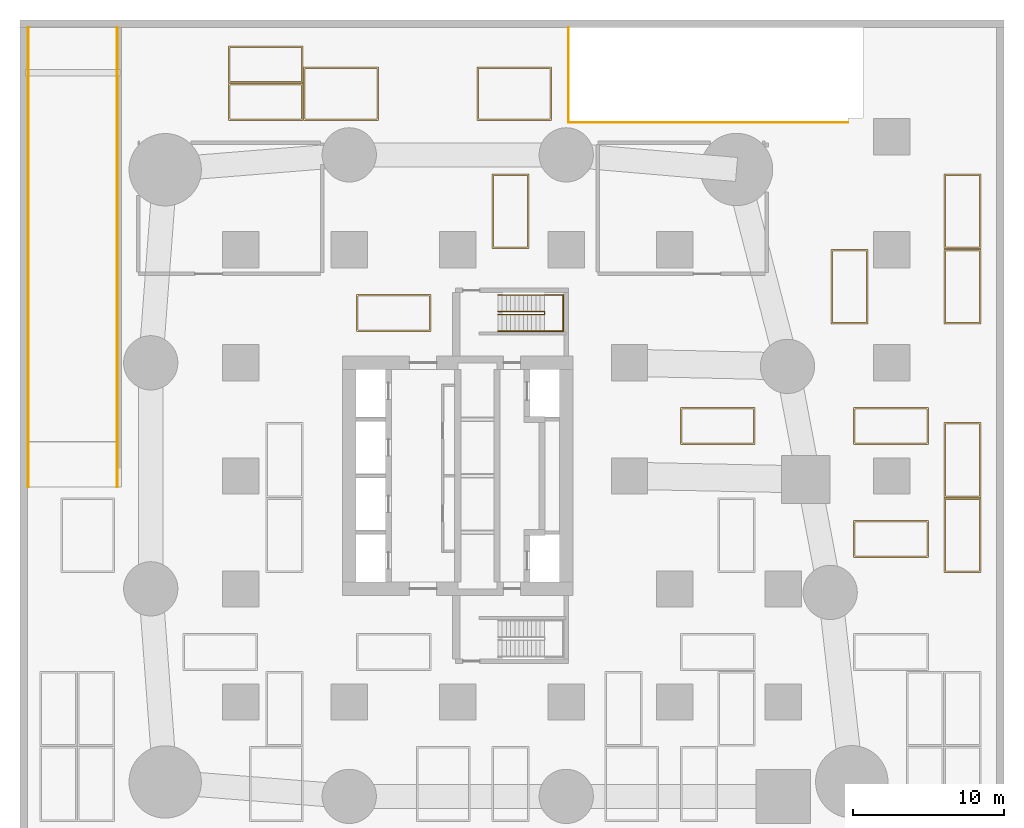
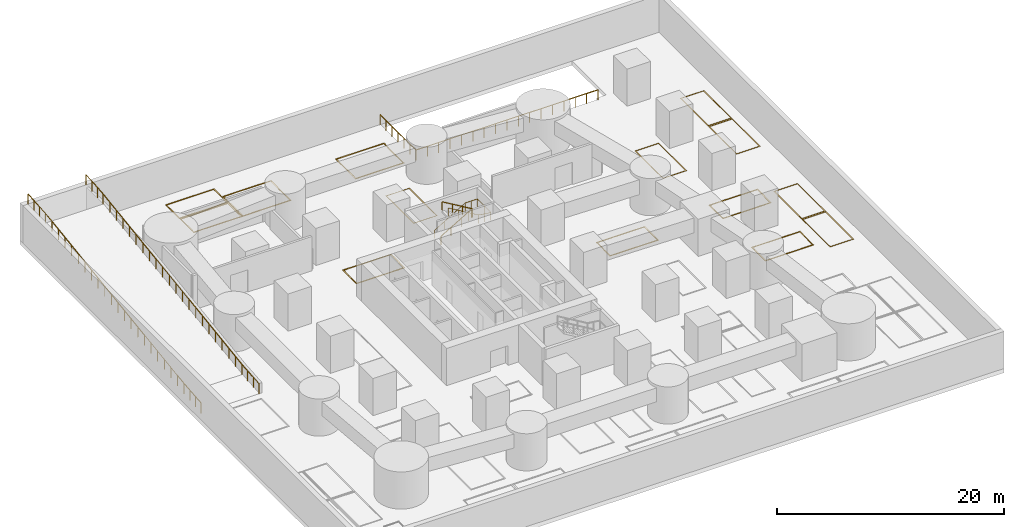
# One storey, part 8 of 8: 14 coverings, 5 railings.
"""IFC4 building model written with IfcOpenShell, lengths in metres."""

from ifc_helpers import new_model, si_unit, direction, frame, origin, origin_2d, place, context, subcontext, project, spatial, polyline, circle, outline, extrude, material, layer, layer_set, type_object, element, save


model = new_model("IFC4")

# Units and contexts
model_context = context("Model", 3, precision=1e-05, world=origin(), true_north=direction((0.0, 1.0)))
body_context = subcontext(model_context, "Body", "Model", "MODEL_VIEW")
ifc_project = project(units=[si_unit("LENGTHUNIT", "METRE"), si_unit("AREAUNIT", "SQUARE_METRE"), si_unit("VOLUMEUNIT", "CUBIC_METRE"), si_unit("PLANEANGLEUNIT", "RADIAN"), si_unit("MASSUNIT", "GRAM", prefix="KILO")], contexts=[model_context])

# Site, building, storey
site_placement = place(None, origin())
site = spatial("IfcSite", under=ifc_project, at=site_placement, CompositionType="ELEMENT")
building_placement = place(site_placement, origin())
building = spatial("IfcBuilding", under=site, at=building_placement, Name="Sheger Commons Tower", CompositionType="ELEMENT")
storey_placement = place(building_placement, frame((0.0, 0.0, -4.0)))
storey = spatial("IfcBuildingStorey", under=building, at=storey_placement, Name="B1", CompositionType="ELEMENT", Elevation=-4.0)

# Coverings
ifc_material_1 = material(Name="Thermoplastic road marking, blue")
ifc_layer_1 = layer(ifc_material_1, 0.0048828125)
ifc_layer_set_1 = layer_set([ifc_layer_1], Name="ACCESSIBLE PARKING BAY MARKING")
covering_type_1 = type_object("IfcCoveringType", Name="ACCESSIBLE PARKING BAY MARKING", PredefinedType="FLOORING", material=ifc_layer_set_1)
covering_1_placement = place(storey_placement, origin())
element("IfcCovering", 1, at=covering_1_placement, inside=storey, type_object=covering_type_1, Name="Accessible parking bay B1-A05 marking", PredefinedType="FLOORING", context=body_context, shape_type="SweptSolid", body=[
    extrude(outline(polyline([(11.375, 46.074951171875), (16.324951171875, 46.074951171875), (16.324951171875, 49.625), (11.375, 49.625), (11.375, 46.074951171875)]), holes=[polyline([(16.22509765625, 49.52490234375), (16.22509765625, 46.175048828125), (11.47509765625, 46.175048828125), (11.47509765625, 49.52490234375), (16.22509765625, 49.52490234375)])]), origin(), (0.0, 0.0, 1.0), 0.0048828125),
])
covering_2_placement = place(storey_placement, origin())
element("IfcCovering", 2, at=covering_2_placement, inside=storey, type_object=covering_type_1, Name="Accessible parking bay B1-A06 marking", PredefinedType="FLOORING", context=body_context, shape_type="SweptSolid", body=[
    extrude(outline(polyline([(22.875, 46.074951171875), (27.824951171875, 46.074951171875), (27.824951171875, 49.625), (22.875, 49.625), (22.875, 46.074951171875)]), holes=[polyline([(27.72509765625, 49.52490234375), (27.72509765625, 46.175048828125), (22.97509765625, 46.175048828125), (22.97509765625, 49.52490234375), (27.72509765625, 49.52490234375)])]), origin(), (0.0, 0.0, 1.0), 0.0048828125),
])

# Railings
ifc_material_2 = material(Name="Steel handrail, black powder-coated", Category="steel")
railing_type_1 = type_object("IfcRailingType", Name="HANDRAIL 900", PredefinedType="HANDRAIL", material=ifc_material_2)
railing_1_placement = place(storey_placement, frame((24.27001953125, 33.39990234375, 0.166748046875)))
element("IfcRailing", 3, at=railing_1_placement, inside=storey, type_object=railing_type_1, Name="Stair S2 handrail B1", PredefinedType="HANDRAIL", context=body_context, shape_type="SweptSolid", body=[
    extrude(circle(Radius=0.02392578125, at=origin_2d()), frame((0.0, 0.0, 0.8759765625), z_axis=(0.859308565015, 0.0, 0.511457515432), x_axis=(0.0, 1.0, 0.0)), (0.0, 0.0, 1.0), 3.58447265625),
    extrude(circle(Radius=0.02392578125, at=origin_2d()), frame((3.080078125, 0.0, 2.708984375), z_axis=(0.0, -0.767990643491, 0.640461061666), x_axis=(1.0, 0.0, 0.0)), (0.0, 0.0, 1.0), 0.26025390625),
    extrude(circle(Radius=0.02392578125, at=origin_2d()), frame((3.080078125, -0.199951171875, 2.8759765625), z_axis=(-0.859308565015, 0.0, 0.511457515432), x_axis=(0.0, -1.0, 0.0)), (0.0, 0.0, 1.0), 3.58447265625),
    extrude(circle(Radius=0.02099609375, at=origin_2d()), origin(), (0.0, 0.0, 1.0), 0.851806640625),
    extrude(circle(Radius=0.02099609375, at=origin_2d()), frame((1.026611328125, 0.0, 0.611083984375)), (0.0, 0.0, 1.0), 0.851806640625),
    extrude(circle(Radius=0.02099609375, at=origin_2d()), frame((2.053466796875, 0.0, 1.22216796875)), (0.0, 0.0, 1.0), 0.851806640625),
    extrude(circle(Radius=0.02099609375, at=origin_2d()), frame((3.080078125, 0.0, 1.833251953125)), (0.0, 0.0, 1.0), 0.851806640625),
    extrude(circle(Radius=0.02099609375, at=origin_2d()), frame((3.080078125, -0.199951171875, 2.0)), (0.0, 0.0, 1.0), 0.851806640625),
    extrude(circle(Radius=0.02099609375, at=origin_2d()), frame((2.053466796875, -0.199951171875, 2.611083984375)), (0.0, 0.0, 1.0), 0.851806640625),
    extrude(circle(Radius=0.02099609375, at=origin_2d()), frame((1.026611328125, -0.199951171875, 3.22216796875)), (0.0, 0.0, 1.0), 0.851806640625),
    extrude(circle(Radius=0.02099609375, at=origin_2d()), frame((0.0, -0.199951171875, 3.833251953125)), (0.0, 0.0, 1.0), 0.851806640625),
])
railing_2_placement = place(storey_placement, frame((24.27001953125, 34.5, 0.166748046875)))
element("IfcRailing", 4, at=railing_2_placement, inside=storey, type_object=railing_type_1, Name="Stair S2 handrail B1", PredefinedType="HANDRAIL", context=body_context, shape_type="SweptSolid", body=[
    extrude(circle(Radius=0.02392578125, at=origin_2d()), frame((0.0, 0.0, 0.8759765625), z_axis=(0.859308565015, 0.0, 0.511457515432), x_axis=(0.0, 1.0, 0.0)), (0.0, 0.0, 1.0), 3.58447265625),
    extrude(circle(Radius=0.02392578125, at=origin_2d()), frame((3.080078125, 0.0, 2.708984375), z_axis=(1.0, 0.0, 0.0), x_axis=(0.0, 1.0, 0.0)), (0.0, 0.0, 1.0), 1.25),
    extrude(circle(Radius=0.02392578125, at=origin_2d()), frame((4.330078125, 0.0, 2.708984375), z_axis=(0.0, -1.0, 0.0), x_axis=(1.0, 0.0, 0.0)), (0.0, 0.0, 1.0), 2.39990234375),
    extrude(circle(Radius=0.02392578125, at=origin_2d()), frame((4.330078125, -2.39990234375, 2.708984375), z_axis=(-0.991219444613, 0.0, 0.132227125131), x_axis=(0.0, -1.0, 0.0)), (0.0, 0.0, 1.0), 1.260986328125),
    extrude(circle(Radius=0.02392578125, at=origin_2d()), frame((3.080078125, -2.39990234375, 2.8759765625), z_axis=(-0.859308565015, 0.0, 0.511457515432), x_axis=(0.0, -1.0, 0.0)), (0.0, 0.0, 1.0), 3.58447265625),
    extrude(circle(Radius=0.02099609375, at=origin_2d()), origin(), (0.0, 0.0, 1.0), 0.851806640625),
    extrude(circle(Radius=0.02099609375, at=origin_2d()), frame((1.026611328125, 0.0, 0.611083984375)), (0.0, 0.0, 1.0), 0.851806640625),
    extrude(circle(Radius=0.02099609375, at=origin_2d()), frame((2.053466796875, 0.0, 1.22216796875)), (0.0, 0.0, 1.0), 0.851806640625),
    extrude(circle(Radius=0.02099609375, at=origin_2d()), frame((3.080078125, 0.0, 1.833251953125)), (0.0, 0.0, 1.0), 0.851806640625),
    extrude(circle(Radius=0.02099609375, at=origin_2d()), frame((3.705078125, 0.0, 1.833251953125)), (0.0, 0.0, 1.0), 0.851806640625),
    extrude(circle(Radius=0.02099609375, at=origin_2d()), frame((4.330078125, 0.0, 1.833251953125)), (0.0, 0.0, 1.0), 0.851806640625),
    extrude(circle(Radius=0.02099609375, at=origin_2d()), frame((4.330078125, -1.199951171875, 1.833251953125)), (0.0, 0.0, 1.0), 0.851806640625),
    extrude(circle(Radius=0.02099609375, at=origin_2d()), frame((4.330078125, -2.39990234375, 1.833251953125)), (0.0, 0.0, 1.0), 0.851806640625),
    extrude(circle(Radius=0.02099609375, at=origin_2d()), frame((3.705078125, -2.39990234375, 1.91650390625)), (0.0, 0.0, 1.0), 0.851806640625),
    extrude(circle(Radius=0.02099609375, at=origin_2d()), frame((3.080078125, -2.39990234375, 2.0)), (0.0, 0.0, 1.0), 0.851806640625),
    extrude(circle(Radius=0.02099609375, at=origin_2d()), frame((2.053466796875, -2.39990234375, 2.611083984375)), (0.0, 0.0, 1.0), 0.851806640625),
    extrude(circle(Radius=0.02099609375, at=origin_2d()), frame((1.026611328125, -2.39990234375, 3.22216796875)), (0.0, 0.0, 1.0), 0.851806640625),
    extrude(circle(Radius=0.02099609375, at=origin_2d()), frame((0.0, -2.39990234375, 3.833251953125)), (0.0, 0.0, 1.0), 0.851806640625),
])

# Coverings
ifc_material_3 = material(Name="Thermoplastic road marking, white")
ifc_layer_2 = layer(ifc_material_3, 0.0048828125)
ifc_layer_set_2 = layer_set([ifc_layer_2], Name="PARKING BAY MARKING")
covering_type_2 = type_object("IfcCoveringType", Name="PARKING BAY MARKING", PredefinedType="FLOORING", material=ifc_layer_set_2)
covering_3_placement = place(storey_placement, origin())
element("IfcCovering", 5, at=covering_3_placement, inside=storey, type_object=covering_type_2, Name="Parking bay B1-034 marking", PredefinedType="FLOORING", context=body_context, shape_type="SweptSolid", body=[
    extrude(outline(polyline([(53.875, 16.074951171875), (56.324951171875, 16.074951171875), (56.324951171875, 21.02490234375), (53.875, 21.02490234375), (53.875, 16.074951171875)]), holes=[polyline([(56.22509765625, 20.925048828125), (56.22509765625, 16.175048828125), (53.97509765625, 16.175048828125), (53.97509765625, 20.925048828125), (56.22509765625, 20.925048828125)])]), origin(), (0.0, 0.0, 1.0), 0.0048828125),
])
covering_4_placement = place(storey_placement, origin())
element("IfcCovering", 6, at=covering_4_placement, inside=storey, type_object=covering_type_2, Name="Parking bay B1-035 marking", PredefinedType="FLOORING", context=body_context, shape_type="SweptSolid", body=[
    extrude(outline(polyline([(47.875, 17.074951171875), (52.824951171875, 17.074951171875), (52.824951171875, 19.52490234375), (47.875, 19.52490234375), (47.875, 17.074951171875)]), holes=[polyline([(52.72509765625, 19.425048828125), (52.72509765625, 17.175048828125), (47.97509765625, 17.175048828125), (47.97509765625, 19.425048828125), (52.72509765625, 19.425048828125)])]), origin(), (0.0, 0.0, 1.0), 0.0048828125),
])
covering_5_placement = place(storey_placement, origin())
element("IfcCovering", 7, at=covering_5_placement, inside=storey, type_object=covering_type_2, Name="Parking bay B1-037 marking", PredefinedType="FLOORING", context=body_context, shape_type="SweptSolid", body=[
    extrude(outline(polyline([(53.875, 21.074951171875), (56.324951171875, 21.074951171875), (56.324951171875, 26.02490234375), (53.875, 26.02490234375), (53.875, 21.074951171875)]), holes=[polyline([(56.22509765625, 25.925048828125), (56.22509765625, 21.175048828125), (53.97509765625, 21.175048828125), (53.97509765625, 25.925048828125), (56.22509765625, 25.925048828125)])]), origin(), (0.0, 0.0, 1.0), 0.0048828125),
])
covering_6_placement = place(storey_placement, origin())
element("IfcCovering", 8, at=covering_6_placement, inside=storey, type_object=covering_type_2, Name="Parking bay B1-038 marking", PredefinedType="FLOORING", context=body_context, shape_type="SweptSolid", body=[
    extrude(outline(polyline([(36.375, 24.574951171875), (41.324951171875, 24.574951171875), (41.324951171875, 27.02490234375), (36.375, 27.02490234375), (36.375, 24.574951171875)]), holes=[polyline([(41.22509765625, 26.925048828125), (41.22509765625, 24.675048828125), (36.47509765625, 24.675048828125), (36.47509765625, 26.925048828125), (41.22509765625, 26.925048828125)])]), origin(), (0.0, 0.0, 1.0), 0.0048828125),
])
covering_7_placement = place(storey_placement, origin())
element("IfcCovering", 9, at=covering_7_placement, inside=storey, type_object=covering_type_2, Name="Parking bay B1-039 marking", PredefinedType="FLOORING", context=body_context, shape_type="SweptSolid", body=[
    extrude(outline(polyline([(47.875, 24.574951171875), (52.824951171875, 24.574951171875), (52.824951171875, 27.02490234375), (47.875, 27.02490234375), (47.875, 24.574951171875)]), holes=[polyline([(52.72509765625, 26.925048828125), (52.72509765625, 24.675048828125), (47.97509765625, 24.675048828125), (47.97509765625, 26.925048828125), (52.72509765625, 26.925048828125)])]), origin(), (0.0, 0.0, 1.0), 0.0048828125),
])
covering_8_placement = place(storey_placement, origin())
element("IfcCovering", 10, at=covering_8_placement, inside=storey, type_object=covering_type_2, Name="Parking bay B1-040 marking", PredefinedType="FLOORING", context=body_context, shape_type="SweptSolid", body=[
    extrude(outline(polyline([(14.875, 32.074951171875), (19.824951171875, 32.074951171875), (19.824951171875, 34.52490234375), (14.875, 34.52490234375), (14.875, 32.074951171875)]), holes=[polyline([(19.72509765625, 34.425048828125), (19.72509765625, 32.175048828125), (14.97509765625, 32.175048828125), (14.97509765625, 34.425048828125), (19.72509765625, 34.425048828125)])]), origin(), (0.0, 0.0, 1.0), 0.0048828125),
])
covering_9_placement = place(storey_placement, origin())
element("IfcCovering", 11, at=covering_9_placement, inside=storey, type_object=covering_type_2, Name="Parking bay B1-041 marking", PredefinedType="FLOORING", context=body_context, shape_type="SweptSolid", body=[
    extrude(outline(polyline([(46.375, 32.574951171875), (48.824951171875, 32.574951171875), (48.824951171875, 37.52490234375), (46.375, 37.52490234375), (46.375, 32.574951171875)]), holes=[polyline([(48.72509765625, 37.425048828125), (48.72509765625, 32.675048828125), (46.47509765625, 32.675048828125), (46.47509765625, 37.425048828125), (48.72509765625, 37.425048828125)])]), origin(), (0.0, 0.0, 1.0), 0.0048828125),
])
covering_10_placement = place(storey_placement, origin())
element("IfcCovering", 12, at=covering_10_placement, inside=storey, type_object=covering_type_2, Name="Parking bay B1-042 marking", PredefinedType="FLOORING", context=body_context, shape_type="SweptSolid", body=[
    extrude(outline(polyline([(53.875, 32.574951171875), (56.324951171875, 32.574951171875), (56.324951171875, 37.52490234375), (53.875, 37.52490234375), (53.875, 32.574951171875)]), holes=[polyline([(56.22509765625, 37.425048828125), (56.22509765625, 32.675048828125), (53.97509765625, 32.675048828125), (53.97509765625, 37.425048828125), (56.22509765625, 37.425048828125)])]), origin(), (0.0, 0.0, 1.0), 0.0048828125),
])
covering_11_placement = place(storey_placement, origin())
element("IfcCovering", 13, at=covering_11_placement, inside=storey, type_object=covering_type_2, Name="Parking bay B1-043 marking", PredefinedType="FLOORING", context=body_context, shape_type="SweptSolid", body=[
    extrude(outline(polyline([(23.875, 37.574951171875), (26.324951171875, 37.574951171875), (26.324951171875, 42.52490234375), (23.875, 42.52490234375), (23.875, 37.574951171875)]), holes=[polyline([(26.22509765625, 42.425048828125), (26.22509765625, 37.675048828125), (23.97509765625, 37.675048828125), (23.97509765625, 42.425048828125), (26.22509765625, 42.425048828125)])]), origin(), (0.0, 0.0, 1.0), 0.0048828125),
])
covering_12_placement = place(storey_placement, origin())
element("IfcCovering", 14, at=covering_12_placement, inside=storey, type_object=covering_type_2, Name="Parking bay B1-044 marking", PredefinedType="FLOORING", context=body_context, shape_type="SweptSolid", body=[
    extrude(outline(polyline([(53.875, 37.574951171875), (56.324951171875, 37.574951171875), (56.324951171875, 42.52490234375), (53.875, 42.52490234375), (53.875, 37.574951171875)]), holes=[polyline([(56.22509765625, 42.425048828125), (56.22509765625, 37.675048828125), (53.97509765625, 37.675048828125), (53.97509765625, 42.425048828125), (56.22509765625, 42.425048828125)])]), origin(), (0.0, 0.0, 1.0), 0.0048828125),
])
covering_13_placement = place(storey_placement, origin())
element("IfcCovering", 15, at=covering_13_placement, inside=storey, type_object=covering_type_2, Name="Parking bay B1-045 marking", PredefinedType="FLOORING", context=body_context, shape_type="SweptSolid", body=[
    extrude(outline(polyline([(6.375, 46.074951171875), (11.324951171875, 46.074951171875), (11.324951171875, 48.52490234375), (6.375, 48.52490234375), (6.375, 46.074951171875)]), holes=[polyline([(11.22509765625, 48.425048828125), (11.22509765625, 46.175048828125), (6.47509765625, 46.175048828125), (6.47509765625, 48.425048828125), (11.22509765625, 48.425048828125)])]), origin(), (0.0, 0.0, 1.0), 0.0048828125),
])
covering_14_placement = place(storey_placement, origin())
element("IfcCovering", 16, at=covering_14_placement, inside=storey, type_object=covering_type_2, Name="Parking bay B1-046 marking", PredefinedType="FLOORING", context=body_context, shape_type="SweptSolid", body=[
    extrude(outline(polyline([(6.375, 48.574951171875), (11.324951171875, 48.574951171875), (11.324951171875, 51.02490234375), (6.375, 51.02490234375), (6.375, 48.574951171875)]), holes=[polyline([(11.22509765625, 50.925048828125), (11.22509765625, 48.675048828125), (6.47509765625, 48.675048828125), (6.47509765625, 50.925048828125), (11.22509765625, 50.925048828125)])]), origin(), (0.0, 0.0, 1.0), 0.0048828125),
])

# Railings
ifc_material_4 = material(Name="Galvanised steel vehicle barrier rail", Category="steel")
railing_type_2 = type_object("IfcRailingType", Name="VEHICLE GUARD 1100", PredefinedType="GUARDRAIL", material=ifc_material_4)
railing_3_placement = place(storey_placement, frame((-6.89990234375, 52.25, 4.0)))
element("IfcRailing", 17, at=railing_3_placement, inside=storey, type_object=railing_type_2, Name="R1 ramp guard west", PredefinedType="GUARDRAIL", context=body_context, shape_type="SweptSolid", body=[
    extrude(circle(Radius=0.02392578125, at=origin_2d()), frame((0.0, 0.0, 1.0771484375), z_axis=(0.0, -0.996545758245, -0.083045479854), x_axis=(1.0, 0.0, 0.0)), (0.0, 0.0, 1.0), 3.010498046875),
    extrude(circle(Radius=0.02392578125, at=origin_2d()), frame((0.0, -3.0, 0.8271484375), z_axis=(0.0, -0.989949493661, -0.141421356237), x_axis=(1.0, 0.0, 0.0)), (0.0, 0.0, 1.0), 24.748779296875),
    extrude(circle(Radius=0.02392578125, at=origin_2d()), frame((0.0, -27.5, -2.6728515625), z_axis=(0.0, -0.996545758245, -0.083045479854), x_axis=(1.0, 0.0, 0.0)), (0.0, 0.0, 1.0), 3.010498046875),
    extrude(circle(Radius=0.02099609375, at=origin_2d()), origin(), (0.0, 0.0, 1.0), 1.052001953125),
    extrude(circle(Radius=0.02099609375, at=origin_2d()), frame((0.0, -1.0, -0.083251953125)), (0.0, 0.0, 1.0), 1.052001953125),
    extrude(circle(Radius=0.02099609375, at=origin_2d()), frame((0.0, -2.0, -0.166748046875)), (0.0, 0.0, 1.0), 1.052001953125),
    extrude(circle(Radius=0.02099609375, at=origin_2d()), frame((0.0, -3.0, -0.25)), (0.0, 0.0, 1.0), 1.052001953125),
    extrude(circle(Radius=0.02099609375, at=origin_2d()), frame((0.0, -4.166748046875, -0.416748046875)), (0.0, 0.0, 1.0), 1.052001953125),
    extrude(circle(Radius=0.02099609375, at=origin_2d()), frame((0.0, -5.333251953125, -0.583251953125)), (0.0, 0.0, 1.0), 1.052001953125),
    extrude(circle(Radius=0.02099609375, at=origin_2d()), frame((0.0, -6.5, -0.75)), (0.0, 0.0, 1.0), 1.052001953125),
    extrude(circle(Radius=0.02099609375, at=origin_2d()), frame((0.0, -7.666748046875, -0.916748046875)), (0.0, 0.0, 1.0), 1.052001953125),
    extrude(circle(Radius=0.02099609375, at=origin_2d()), frame((0.0, -8.833251953125, -1.083251953125)), (0.0, 0.0, 1.0), 1.052001953125),
    extrude(circle(Radius=0.02099609375, at=origin_2d()), frame((0.0, -10.0, -1.25)), (0.0, 0.0, 1.0), 1.052001953125),
    extrude(circle(Radius=0.02099609375, at=origin_2d()), frame((0.0, -11.166748046875, -1.416748046875)), (0.0, 0.0, 1.0), 1.052001953125),
    extrude(circle(Radius=0.02099609375, at=origin_2d()), frame((0.0, -12.333251953125, -1.583251953125)), (0.0, 0.0, 1.0), 1.052001953125),
    extrude(circle(Radius=0.02099609375, at=origin_2d()), frame((0.0, -13.5, -1.75)), (0.0, 0.0, 1.0), 1.052001953125),
    extrude(circle(Radius=0.02099609375, at=origin_2d()), frame((0.0, -14.666748046875, -1.916748046875)), (0.0, 0.0, 1.0), 1.052001953125),
    extrude(circle(Radius=0.02099609375, at=origin_2d()), frame((0.0, -15.833251953125, -2.083251953125)), (0.0, 0.0, 1.0), 1.052001953125),
    extrude(circle(Radius=0.02099609375, at=origin_2d()), frame((0.0, -17.0, -2.25)), (0.0, 0.0, 1.0), 1.052001953125),
    extrude(circle(Radius=0.02099609375, at=origin_2d()), frame((0.0, -18.166748046875, -2.416748046875)), (0.0, 0.0, 1.0), 1.052001953125),
    extrude(circle(Radius=0.02099609375, at=origin_2d()), frame((0.0, -19.333251953125, -2.583251953125)), (0.0, 0.0, 1.0), 1.052001953125),
    extrude(circle(Radius=0.02099609375, at=origin_2d()), frame((0.0, -20.5, -2.75)), (0.0, 0.0, 1.0), 1.052001953125),
    extrude(circle(Radius=0.02099609375, at=origin_2d()), frame((0.0, -21.666748046875, -2.916748046875)), (0.0, 0.0, 1.0), 1.052001953125),
    extrude(circle(Radius=0.02099609375, at=origin_2d()), frame((0.0, -22.833251953125, -3.083251953125)), (0.0, 0.0, 1.0), 1.052001953125),
    extrude(circle(Radius=0.02099609375, at=origin_2d()), frame((0.0, -24.0, -3.25)), (0.0, 0.0, 1.0), 1.052001953125),
    extrude(circle(Radius=0.02099609375, at=origin_2d()), frame((0.0, -25.166748046875, -3.416748046875)), (0.0, 0.0, 1.0), 1.052001953125),
    extrude(circle(Radius=0.02099609375, at=origin_2d()), frame((0.0, -26.333251953125, -3.583251953125)), (0.0, 0.0, 1.0), 1.052001953125),
    extrude(circle(Radius=0.02099609375, at=origin_2d()), frame((0.0, -27.5, -3.75)), (0.0, 0.0, 1.0), 1.052001953125),
    extrude(circle(Radius=0.02099609375, at=origin_2d()), frame((0.0, -28.5, -3.833251953125)), (0.0, 0.0, 1.0), 1.052001953125),
    extrude(circle(Radius=0.02099609375, at=origin_2d()), frame((0.0, -29.5, -3.916748046875)), (0.0, 0.0, 1.0), 1.052001953125),
    extrude(circle(Radius=0.02099609375, at=origin_2d()), frame((0.0, -30.5, -4.0)), (0.0, 0.0, 1.0), 1.052001953125),
])
railing_4_placement = place(storey_placement, frame((-1.0, 52.25, 4.0)))
element("IfcRailing", 18, at=railing_4_placement, inside=storey, type_object=railing_type_2, Name="R1 ramp guard east", PredefinedType="GUARDRAIL", context=body_context, shape_type="SweptSolid", body=[
    extrude(circle(Radius=0.02392578125, at=origin_2d()), frame((0.0, 0.0, 1.0771484375), z_axis=(0.0, -0.996545758245, -0.083045479854), x_axis=(1.0, 0.0, 0.0)), (0.0, 0.0, 1.0), 3.010498046875),
    extrude(circle(Radius=0.02392578125, at=origin_2d()), frame((0.0, -3.0, 0.8271484375), z_axis=(0.0, -0.989949493661, -0.141421356237), x_axis=(1.0, 0.0, 0.0)), (0.0, 0.0, 1.0), 24.748779296875),
    extrude(circle(Radius=0.02392578125, at=origin_2d()), frame((0.0, -27.5, -2.6728515625), z_axis=(0.0, -0.996545758245, -0.083045479854), x_axis=(1.0, 0.0, 0.0)), (0.0, 0.0, 1.0), 3.010498046875),
    extrude(circle(Radius=0.02099609375, at=origin_2d()), origin(), (0.0, 0.0, 1.0), 1.052001953125),
    extrude(circle(Radius=0.02099609375, at=origin_2d()), frame((0.0, -1.0, -0.083251953125)), (0.0, 0.0, 1.0), 1.052001953125),
    extrude(circle(Radius=0.02099609375, at=origin_2d()), frame((0.0, -2.0, -0.166748046875)), (0.0, 0.0, 1.0), 1.052001953125),
    extrude(circle(Radius=0.02099609375, at=origin_2d()), frame((0.0, -3.0, -0.25)), (0.0, 0.0, 1.0), 1.052001953125),
    extrude(circle(Radius=0.02099609375, at=origin_2d()), frame((0.0, -4.166748046875, -0.416748046875)), (0.0, 0.0, 1.0), 1.052001953125),
    extrude(circle(Radius=0.02099609375, at=origin_2d()), frame((0.0, -5.333251953125, -0.583251953125)), (0.0, 0.0, 1.0), 1.052001953125),
    extrude(circle(Radius=0.02099609375, at=origin_2d()), frame((0.0, -6.5, -0.75)), (0.0, 0.0, 1.0), 1.052001953125),
    extrude(circle(Radius=0.02099609375, at=origin_2d()), frame((0.0, -7.666748046875, -0.916748046875)), (0.0, 0.0, 1.0), 1.052001953125),
    extrude(circle(Radius=0.02099609375, at=origin_2d()), frame((0.0, -8.833251953125, -1.083251953125)), (0.0, 0.0, 1.0), 1.052001953125),
    extrude(circle(Radius=0.02099609375, at=origin_2d()), frame((0.0, -10.0, -1.25)), (0.0, 0.0, 1.0), 1.052001953125),
    extrude(circle(Radius=0.02099609375, at=origin_2d()), frame((0.0, -11.166748046875, -1.416748046875)), (0.0, 0.0, 1.0), 1.052001953125),
    extrude(circle(Radius=0.02099609375, at=origin_2d()), frame((0.0, -12.333251953125, -1.583251953125)), (0.0, 0.0, 1.0), 1.052001953125),
    extrude(circle(Radius=0.02099609375, at=origin_2d()), frame((0.0, -13.5, -1.75)), (0.0, 0.0, 1.0), 1.052001953125),
    extrude(circle(Radius=0.02099609375, at=origin_2d()), frame((0.0, -14.666748046875, -1.916748046875)), (0.0, 0.0, 1.0), 1.052001953125),
    extrude(circle(Radius=0.02099609375, at=origin_2d()), frame((0.0, -15.833251953125, -2.083251953125)), (0.0, 0.0, 1.0), 1.052001953125),
    extrude(circle(Radius=0.02099609375, at=origin_2d()), frame((0.0, -17.0, -2.25)), (0.0, 0.0, 1.0), 1.052001953125),
    extrude(circle(Radius=0.02099609375, at=origin_2d()), frame((0.0, -18.166748046875, -2.416748046875)), (0.0, 0.0, 1.0), 1.052001953125),
    extrude(circle(Radius=0.02099609375, at=origin_2d()), frame((0.0, -19.333251953125, -2.583251953125)), (0.0, 0.0, 1.0), 1.052001953125),
    extrude(circle(Radius=0.02099609375, at=origin_2d()), frame((0.0, -20.5, -2.75)), (0.0, 0.0, 1.0), 1.052001953125),
    extrude(circle(Radius=0.02099609375, at=origin_2d()), frame((0.0, -21.666748046875, -2.916748046875)), (0.0, 0.0, 1.0), 1.052001953125),
    extrude(circle(Radius=0.02099609375, at=origin_2d()), frame((0.0, -22.833251953125, -3.083251953125)), (0.0, 0.0, 1.0), 1.052001953125),
    extrude(circle(Radius=0.02099609375, at=origin_2d()), frame((0.0, -24.0, -3.25)), (0.0, 0.0, 1.0), 1.052001953125),
    extrude(circle(Radius=0.02099609375, at=origin_2d()), frame((0.0, -25.166748046875, -3.416748046875)), (0.0, 0.0, 1.0), 1.052001953125),
    extrude(circle(Radius=0.02099609375, at=origin_2d()), frame((0.0, -26.333251953125, -3.583251953125)), (0.0, 0.0, 1.0), 1.052001953125),
    extrude(circle(Radius=0.02099609375, at=origin_2d()), frame((0.0, -27.5, -3.75)), (0.0, 0.0, 1.0), 1.052001953125),
    extrude(circle(Radius=0.02099609375, at=origin_2d()), frame((0.0, -28.5, -3.833251953125)), (0.0, 0.0, 1.0), 1.052001953125),
    extrude(circle(Radius=0.02099609375, at=origin_2d()), frame((0.0, -29.5, -3.916748046875)), (0.0, 0.0, 1.0), 1.052001953125),
    extrude(circle(Radius=0.02099609375, at=origin_2d()), frame((0.0, -30.5, -4.0)), (0.0, 0.0, 1.0), 1.052001953125),
])
railing_5_placement = place(storey_placement, frame((47.5, 45.949951171875, 0.0)))
element("IfcRailing", 19, at=railing_5_placement, inside=storey, type_object=railing_type_2, Name="R2 ramp opening guard", PredefinedType="GUARDRAIL", context=body_context, shape_type="SweptSolid", body=[
    extrude(circle(Radius=0.02392578125, at=origin_2d()), frame((0.0, 0.0, 1.0771484375), z_axis=(-1.0, 0.0, 0.0), x_axis=(0.0, -1.0, 0.0)), (0.0, 0.0, 1.0), 18.550048828125),
    extrude(circle(Radius=0.02392578125, at=origin_2d()), frame((-18.550048828125, 0.0, 1.0771484375), z_axis=(0.0, 1.0, 0.0), x_axis=(-1.0, 0.0, 0.0)), (0.0, 0.0, 1.0), 6.300048828125),
    extrude(circle(Radius=0.02099609375, at=origin_2d()), origin(), (0.0, 0.0, 1.0), 1.052001953125),
    extrude(circle(Radius=0.02099609375, at=origin_2d()), frame((-1.159423828125, 0.0, 0.0)), (0.0, 0.0, 1.0), 1.052001953125),
    extrude(circle(Radius=0.02099609375, at=origin_2d()), frame((-2.31884765625, 0.0, 0.0)), (0.0, 0.0, 1.0), 1.052001953125),
    extrude(circle(Radius=0.02099609375, at=origin_2d()), frame((-3.47802734375, 0.0, 0.0)), (0.0, 0.0, 1.0), 1.052001953125),
    extrude(circle(Radius=0.02099609375, at=origin_2d()), frame((-4.637451171875, 0.0, 0.0)), (0.0, 0.0, 1.0), 1.052001953125),
    extrude(circle(Radius=0.02099609375, at=origin_2d()), frame((-5.796875, 0.0, 0.0)), (0.0, 0.0, 1.0), 1.052001953125),
    extrude(circle(Radius=0.02099609375, at=origin_2d()), frame((-6.956298828125, 0.0, 0.0)), (0.0, 0.0, 1.0), 1.052001953125),
    extrude(circle(Radius=0.02099609375, at=origin_2d()), frame((-8.11572265625, 0.0, 0.0)), (0.0, 0.0, 1.0), 1.052001953125),
    extrude(circle(Radius=0.02099609375, at=origin_2d()), frame((-9.27490234375, 0.0, 0.0)), (0.0, 0.0, 1.0), 1.052001953125),
    extrude(circle(Radius=0.02099609375, at=origin_2d()), frame((-10.434326171875, 0.0, 0.0)), (0.0, 0.0, 1.0), 1.052001953125),
    extrude(circle(Radius=0.02099609375, at=origin_2d()), frame((-11.59375, 0.0, 0.0)), (0.0, 0.0, 1.0), 1.052001953125),
    extrude(circle(Radius=0.02099609375, at=origin_2d()), frame((-12.753173828125, 0.0, 0.0)), (0.0, 0.0, 1.0), 1.052001953125),
    extrude(circle(Radius=0.02099609375, at=origin_2d()), frame((-13.91259765625, 0.0, 0.0)), (0.0, 0.0, 1.0), 1.052001953125),
    extrude(circle(Radius=0.02099609375, at=origin_2d()), frame((-15.072021484375, 0.0, 0.0)), (0.0, 0.0, 1.0), 1.052001953125),
    extrude(circle(Radius=0.02099609375, at=origin_2d()), frame((-16.231201171875, 0.0, 0.0)), (0.0, 0.0, 1.0), 1.052001953125),
    extrude(circle(Radius=0.02099609375, at=origin_2d()), frame((-17.390625, 0.0, 0.0)), (0.0, 0.0, 1.0), 1.052001953125),
    extrude(circle(Radius=0.02099609375, at=origin_2d()), frame((-18.550048828125, 0.0, 0.0)), (0.0, 0.0, 1.0), 1.052001953125),
    extrude(circle(Radius=0.02099609375, at=origin_2d()), frame((-18.550048828125, 1.050048828125, 0.0)), (0.0, 0.0, 1.0), 1.052001953125),
    extrude(circle(Radius=0.02099609375, at=origin_2d()), frame((-18.550048828125, 2.10009765625, 0.0)), (0.0, 0.0, 1.0), 1.052001953125),
    extrude(circle(Radius=0.02099609375, at=origin_2d()), frame((-18.550048828125, 3.14990234375, 0.0)), (0.0, 0.0, 1.0), 1.052001953125),
    extrude(circle(Radius=0.02099609375, at=origin_2d()), frame((-18.550048828125, 4.199951171875, 0.0)), (0.0, 0.0, 1.0), 1.052001953125),
    extrude(circle(Radius=0.02099609375, at=origin_2d()), frame((-18.550048828125, 5.25, 0.0)), (0.0, 0.0, 1.0), 1.052001953125),
    extrude(circle(Radius=0.02099609375, at=origin_2d()), frame((-18.550048828125, 6.300048828125, 0.0)), (0.0, 0.0, 1.0), 1.052001953125),
])

save(model, "model.ifc")
